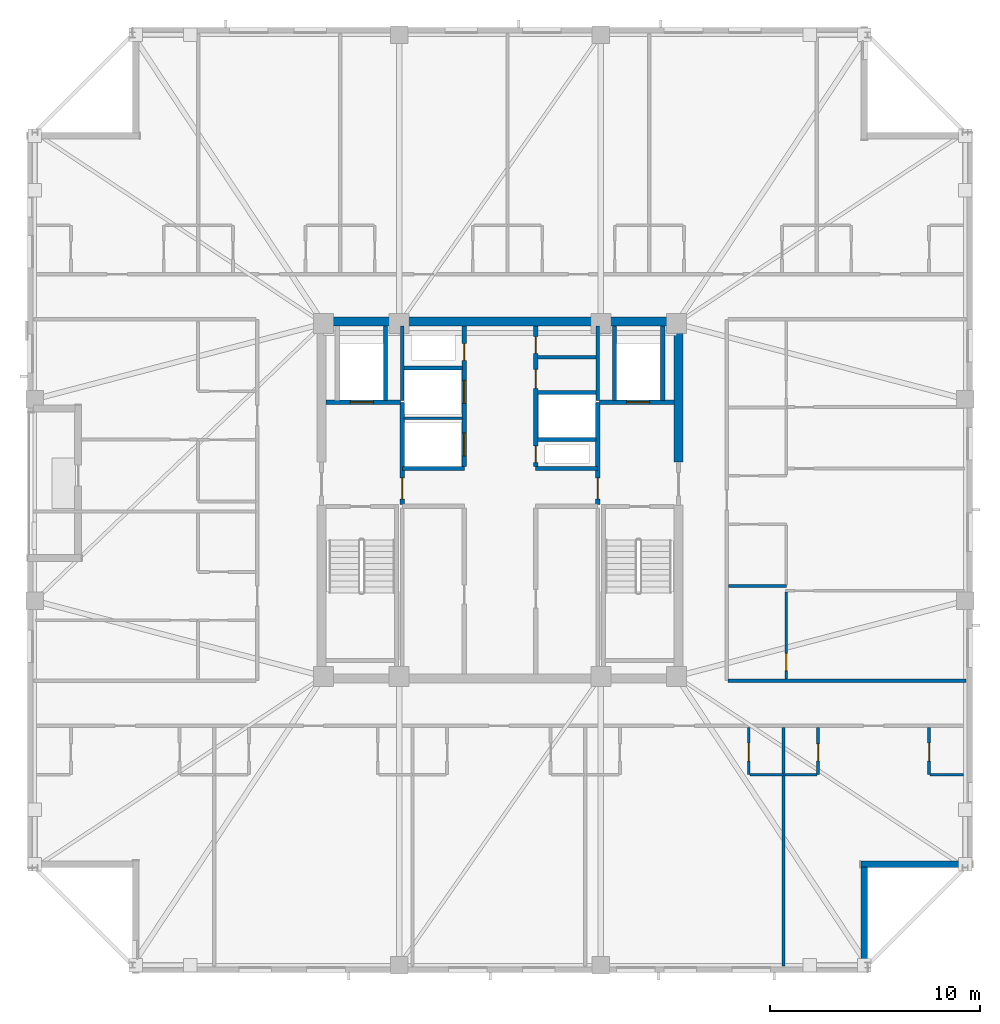
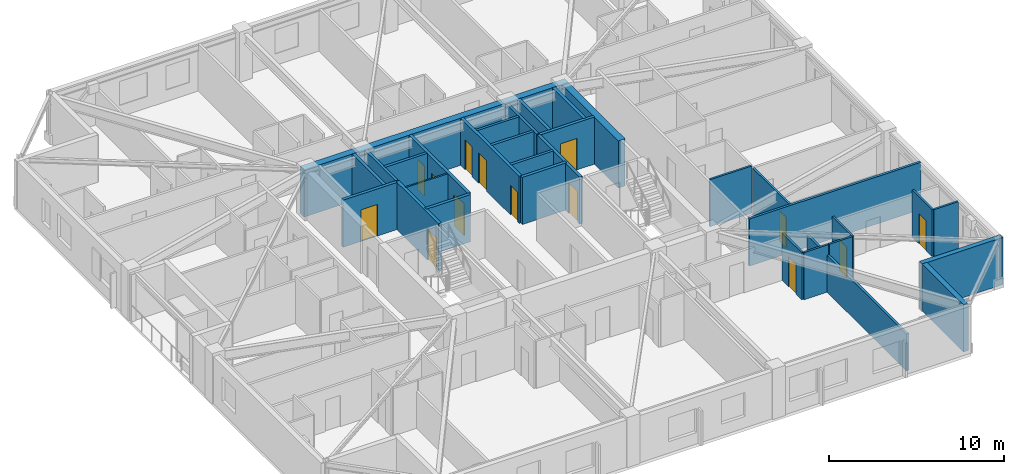
# One storey, part 9 of 17: 32 walls, 14 doors, 14 openings.
"""IFC4 building model written with IfcOpenShell, lengths in metres."""

from ifc_helpers import new_model, si_unit, direction, frame, frame_2d, origin, place, context, subcontext, project, spatial, rectangle, extrude, material, layer, layer_set, type_object, element, fill, save


model = new_model("IFC4")

# Units and contexts
model_context = context("Model", 3, precision=1e-05, world=origin(), true_north=direction((0.0, 1.0)))
body_context = subcontext(model_context, "Body", "Model", "MODEL_VIEW")
ifc_project = project(units=[si_unit("LENGTHUNIT", "METRE"), si_unit("AREAUNIT", "SQUARE_METRE"), si_unit("VOLUMEUNIT", "CUBIC_METRE"), si_unit("PLANEANGLEUNIT", "RADIAN"), si_unit("MASSUNIT", "GRAM", prefix="KILO")], contexts=[model_context])

# Site, building, storey
site_placement = place(None, origin())
site = spatial("IfcSite", under=ifc_project, at=site_placement, CompositionType="ELEMENT")
building_placement = place(site_placement, origin())
building = spatial("IfcBuilding", under=site, at=building_placement, Name="Cairnveth Concourse Tower", CompositionType="ELEMENT")
storey_placement = place(building_placement, frame((0.0, 0.0, 244.5)))
storey = spatial("IfcBuildingStorey", under=building, at=storey_placement, Name="L67", CompositionType="ELEMENT", Elevation=244.5)

# Walls
ifc_material_1 = material(Name="Gypsum Plasterboard Partition", Category="gypsum")
ifc_layer_1 = layer(ifc_material_1, 0.159912109375)
ifc_layer_set_1 = layer_set([ifc_layer_1], Name="Gypsum Plasterboard Partition")
wall_type_1 = type_object("IfcWallType", Name="ACOUSTIC PARTY WALL 180", PredefinedType="PARTITIONING", material=ifc_layer_set_1)
wall_1_placement = place(storey_placement, frame((53.784912109375, 45.800048828125, 0.0), z_axis=(0.0, 0.0, 1.0), x_axis=(1.0, 0.0, 0.0)))
element("IfcWall", 1, at=wall_1_placement, inside=storey, type_object=wall_type_1, Name="Interior Wall IW-L67-033", PredefinedType="PARTITIONING", context=body_context, shape_type="SweptSolid", body=[
    extrude(rectangle(XDim=2.7900390625, YDim=0.159912109375, at=frame_2d((1.39501953125, 0.0))), origin(), (0.0, 0.0, 1.0), 3.2900390625),
])
wall_2_placement = place(storey_placement, frame((62.864990234375, 30.39990234375, 0.0), z_axis=(0.0, 0.0, 1.0), x_axis=(1.0, 0.0, 0.0)))
element("IfcWall", 2, at=wall_2_placement, inside=storey, type_object=wall_type_1, Name="Interior Wall IW-L67-040", PredefinedType="PARTITIONING", context=body_context, shape_type="SweptSolid", body=[
    extrude(rectangle(XDim=11.330078125, YDim=0.159912109375, at=frame_2d((5.6650390625, 0.0))), origin(), (0.0, 0.0, 1.0), 3.2900390625),
])
wall_3_placement = place(storey_placement, frame((65.49560546875, 16.804931640625, 0.0), z_axis=(0.0, 0.0, 1.0), x_axis=(0.0, 1.0, 0.0)))
element("IfcWall", 3, at=wall_3_placement, inside=storey, type_object=wall_type_1, Name="Interior Wall IW-L67-061", PredefinedType="PARTITIONING", context=body_context, shape_type="SweptSolid", body=[
    extrude(rectangle(XDim=11.36767578125, YDim=0.159912109375, at=frame_2d((5.683837890625, 0.0))), origin(), (0.0, 0.0, 1.0), 2.572998046875),
])
ifc_material_2 = material(Name="Concrete N65 (65 MPa)", Category="concrete")
ifc_layer_2 = layer(ifc_material_2, 0.449951171875)
ifc_layer_set_2 = layer_set([ifc_layer_2], Name="Concrete N65 (65 MPa)")
wall_type_2 = type_object("IfcWallType", Name="CORE SHEAR WALL 450", PredefinedType="SHEAR", material=ifc_layer_set_2)
wall_4_placement = place(storey_placement, frame((43.27490234375, 47.5, 0.0), z_axis=(0.0, 0.0, 1.0), x_axis=(1.0, 0.0, 0.0)))
element("IfcWall", 4, at=wall_4_placement, inside=storey, type_object=wall_type_2, Name="Core North Shear Wall L67", PredefinedType="SHEAR", context=body_context, shape_type="SweptSolid", body=[
    extrude(rectangle(XDim=17.4501953125, YDim=0.449951171875, at=frame_2d((8.72509765625, 0.0))), origin(), (0.0, 0.0, 1.0), 3.2900390625),
])
wall_5_placement = place(storey_placement, frame((60.5, 40.800048828125, 0.0), z_axis=(0.0, 0.0, 1.0), x_axis=(0.0, 1.0, 0.0)))
element("IfcWall", 5, at=wall_5_placement, inside=storey, type_object=wall_type_2, Name="Core East Shear Wall N L67", PredefinedType="SHEAR", context=body_context, shape_type="SweptSolid", body=[
    extrude(rectangle(XDim=6.48486328125, YDim=0.449951171875, at=frame_2d((3.242431640625, 0.0))), origin(), (0.0, 0.0, 1.0), 3.2900390625),
])
ifc_material_3 = material(Name="Concrete N50 (50 MPa)", Category="concrete")
ifc_layer_3 = layer(ifc_material_3, 0.179931640625)
ifc_layer_set_3 = layer_set([ifc_layer_3], Name="Concrete N50 (50 MPa)")
wall_type_3 = type_object("IfcWallType", Name="FIRE SHAFT WALL 180", PredefinedType="SOLIDWALL", material=ifc_layer_set_3)
wall_6_placement = place(storey_placement, frame((47.35009765625, 43.735107421875, 0.0), z_axis=(0.0, 0.0, 1.0), x_axis=(0.0, 1.0, 0.0)))
element("IfcWall", 6, at=wall_6_placement, inside=storey, type_object=wall_type_3, Name="Interior Wall IW-L67-027", PredefinedType="SOLIDWALL", context=body_context, shape_type="SweptSolid", body=[
    extrude(rectangle(XDim=3.554931640625, YDim=0.179931640625, at=frame_2d((1.77734375, 0.0))), origin(), (0.0, 0.0, 1.0), 3.2900390625),
])
wall_7_placement = place(storey_placement, frame((47.425048828125, 45.280029296875, 0.0), z_axis=(0.0, 0.0, 1.0), x_axis=(1.0, 0.0, 0.0)))
element("IfcWall", 7, at=wall_7_placement, inside=storey, type_object=wall_type_3, Name="Interior Wall IW-L67-029", PredefinedType="SOLIDWALL", context=body_context, shape_type="SweptSolid", body=[
    extrude(rectangle(XDim=2.7900390625, YDim=0.179931640625, at=frame_2d((1.39501953125, 0.0))), origin(), (0.0, 0.0, 1.0), 3.2900390625),
])
wall_8_placement = place(storey_placement, frame((56.64990234375, 43.735107421875, 0.0), z_axis=(0.0, 0.0, 1.0), x_axis=(0.0, 1.0, 0.0)))
element("IfcWall", 8, at=wall_8_placement, inside=storey, type_object=wall_type_3, Name="Interior Wall IW-L67-030", PredefinedType="SOLIDWALL", context=body_context, shape_type="SweptSolid", body=[
    extrude(rectangle(XDim=3.554931640625, YDim=0.179931640625, at=frame_2d((1.77734375, 0.0))), origin(), (0.0, 0.0, 1.0), 3.2900390625),
])
wall_9_placement = place(storey_placement, frame((53.784912109375, 41.8798828125, 0.0), z_axis=(0.0, 0.0, 1.0), x_axis=(1.0, 0.0, 0.0)))
element("IfcWall", 9, at=wall_9_placement, inside=storey, type_object=wall_type_3, Name="Interior Wall IW-L67-031", PredefinedType="SOLIDWALL", context=body_context, shape_type="SweptSolid", body=[
    extrude(rectangle(XDim=2.780029296875, YDim=0.179931640625, at=frame_2d((1.39013671875, 0.0))), origin(), (0.0, 0.0, 1.0), 3.2900390625),
])
wall_10_placement = place(storey_placement, frame((53.784912109375, 44.1201171875, 0.0), z_axis=(0.0, 0.0, 1.0), x_axis=(1.0, 0.0, 0.0)))
element("IfcWall", 10, at=wall_10_placement, inside=storey, type_object=wall_type_3, Name="Interior Wall IW-L67-032", PredefinedType="SOLIDWALL", context=body_context, shape_type="SweptSolid", body=[
    extrude(rectangle(XDim=2.7900390625, YDim=0.179931640625, at=frame_2d((1.39501953125, 0.0))), origin(), (0.0, 0.0, 1.0), 3.2900390625),
])
ifc_layer_4 = layer(ifc_material_3, 0.199951171875)
ifc_layer_set_4 = layer_set([ifc_layer_4], Name="Concrete N50 (50 MPa)")
wall_type_4 = type_object("IfcWallType", Name="FIRE SHAFT WALL 200", PredefinedType="SOLIDWALL", material=ifc_layer_set_4)
for number, where, z_axis, x_axis, name in (
    (11, (47.35009765625, 40.5, 0.0), (0.0, 0.0, 1.0), (1.0, 0.0, 0.0), "Interior Wall IW-L67-008"),
    (12, (53.699951171875, 40.5, 0.0), (0.0, 0.0, 1.0), (1.0, 0.0, 0.0), "Interior Wall IW-L67-010"),
):
    element("IfcWall", number, at=place(storey_placement, frame(where, z_axis=z_axis, x_axis=x_axis)), inside=storey, type_object=wall_type_4, Name=name, PredefinedType="SOLIDWALL", context=body_context, shape_type="SweptSolid", body=[
        extrude(rectangle(XDim=2.949951171875, YDim=0.199951171875, at=frame_2d((1.47509765625, 0.0))), origin(), (0.0, 0.0, 1.0), 3.2900390625),
    ])

# Wall, openings, doors
wall_11_placement = place(storey_placement, frame((50.300048828125, 40.5849609375, 0.0), z_axis=(0.0, 0.0, 1.0), x_axis=(0.0, 1.0, 0.0)))
wall_11 = element("IfcWall", 13, at=wall_11_placement, inside=storey, type_object=wall_type_4, Name="Interior Wall IW-L67-013", PredefinedType="SOLIDWALL", context=body_context, shape_type="SweptSolid", body=[
    extrude(rectangle(XDim=6.705078125, YDim=0.199951171875, at=frame_2d((3.3525390625, 0.0))), origin(), (0.0, 0.0, 1.0), 3.2900390625),
])
opening_1_placement = place(wall_11_placement, frame((0.514892578125, 0.0, 0.0)))
opening_1 = element("IfcOpeningElement", 14, at=opening_1_placement, cuts=wall_11, Name="Opening LD-1", PredefinedType="OPENING", context=body_context, shape_type="SweptSolid", body=[
    extrude(rectangle(XDim=1.10009765625, YDim=2.199951171875, at=frame_2d((0.550048828125, 1.10009765625))), frame((0.0, 0.10986328125, 0.0), z_axis=(0.0, -1.0, 0.0), x_axis=(1.0, 0.0, 0.0)), (0.0, 0.0, 1.0), 0.219970703125),
])
opening_2_placement = place(wall_11_placement, frame((3.014892578125, 0.0, 0.0)))
opening_2 = element("IfcOpeningElement", 15, at=opening_2_placement, cuts=wall_11, Name="Opening LD-1", PredefinedType="OPENING", context=body_context, shape_type="SweptSolid", body=[
    extrude(rectangle(XDim=1.10009765625, YDim=2.199951171875, at=frame_2d((0.550048828125, 1.10009765625))), frame((0.0, 0.10986328125, 0.0), z_axis=(0.0, -1.0, 0.0), x_axis=(1.0, 0.0, 0.0)), (0.0, 0.0, 1.0), 0.219970703125),
])
opening_3_placement = place(wall_11_placement, frame((5.06494140625, 0.0, 0.0)))
opening_3 = element("IfcOpeningElement", 16, at=opening_3_placement, cuts=wall_11, Name="Opening ID24", PredefinedType="OPENING", context=body_context, shape_type="SweptSolid", body=[
    extrude(rectangle(XDim=0.800048828125, YDim=2.080078125, at=frame_2d((0.39990234375, 1.0400390625))), frame((0.0, 0.10986328125, 0.0), z_axis=(0.0, -1.0, 0.0), x_axis=(1.0, 0.0, 0.0)), (0.0, 0.0, 1.0), 0.219970703125),
])
ifc_material_4 = material(Name="Architectural Bronze Anodised Aluminium 6063-T6", Category="aluminium")
door_type_1 = type_object("IfcDoorType", Name="LIFT LANDING DOOR 1100X2200", OperationType="SLIDING_TO_LEFT", PredefinedType="DOOR", material=ifc_material_4)
door_1_placement = place(opening_1_placement, origin())
door_1 = element("IfcDoor", 17, at=door_1_placement, inside=storey, type_object=door_type_1, Name="Lift PL7 Landing Door L67", OperationType="SLIDING_TO_LEFT", OverallHeight=2.199951171875, OverallWidth=1.10009765625, PredefinedType="DOOR", context=body_context, shape_type="SweptSolid", body=[
    extrude(rectangle(XDim=1.10009765625, YDim=2.199951171875, at=frame_2d((0.550048828125, 1.10009765625))), frame((0.0, 0.02490234375, 0.0), z_axis=(0.0, -1.0, 0.0), x_axis=(1.0, 0.0, 0.0)), (0.0, 0.0, 1.0), 0.050048828125),
])
fill(opening_1, door_1)
door_2_placement = place(opening_2_placement, origin())
door_2 = element("IfcDoor", 18, at=door_2_placement, inside=storey, type_object=door_type_1, Name="Lift PL8 Landing Door L67", OperationType="SLIDING_TO_LEFT", OverallHeight=2.199951171875, OverallWidth=1.10009765625, PredefinedType="DOOR", context=body_context, shape_type="SweptSolid", body=[
    extrude(rectangle(XDim=1.10009765625, YDim=2.199951171875, at=frame_2d((0.550048828125, 1.10009765625))), frame((0.0, 0.02490234375, 0.0), z_axis=(0.0, -1.0, 0.0), x_axis=(1.0, 0.0, 0.0)), (0.0, 0.0, 1.0), 0.050048828125),
])
fill(opening_2, door_2)
ifc_material_5 = material(Name="Steel Grade 350", Category="steel")
door_type_2 = type_object("IfcDoorType", Name="RISER ACCESS DOOR 800X2100", OperationType="NOTDEFINED", PredefinedType="DOOR", material=ifc_material_5)
door_3_placement = place(opening_3_placement, origin())
door_3 = element("IfcDoor", 19, at=door_3_placement, inside=storey, type_object=door_type_2, Name="NW Electrical Riser Access Door L67", OperationType="SINGLE_SWING_LEFT", OverallHeight=2.080078125, OverallWidth=0.800048828125, PredefinedType="DOOR", context=body_context, shape_type="SweptSolid", body=[
    extrude(rectangle(XDim=0.800048828125, YDim=2.080078125, at=frame_2d((0.39990234375, 1.0400390625))), frame((0.0, 0.02490234375, 0.0), z_axis=(0.0, -1.0, 0.0), x_axis=(1.0, 0.0, 0.0)), (0.0, 0.0, 1.0), 0.050048828125),
])
fill(opening_3, door_3)

wall_12_placement = place(storey_placement, frame((53.699951171875, 40.5849609375, 0.0), z_axis=(0.0, 0.0, 1.0), x_axis=(0.0, 1.0, 0.0)))
wall_12 = element("IfcWall", 20, at=wall_12_placement, inside=storey, type_object=wall_type_4, Name="Interior Wall IW-L67-014", PredefinedType="SOLIDWALL", context=body_context, shape_type="SweptSolid", body=[
    extrude(rectangle(XDim=6.705078125, YDim=0.199951171875, at=frame_2d((3.3525390625, 0.0))), origin(), (0.0, 0.0, 1.0), 3.2900390625),
])
opening_4_placement = place(wall_12_placement, frame((0.195068359375, 0.0, 0.0)))
opening_4 = element("IfcOpeningElement", 21, at=opening_4_placement, cuts=wall_12, Name="Opening ID24", PredefinedType="OPENING", context=body_context, shape_type="SweptSolid", body=[
    extrude(rectangle(XDim=0.800048828125, YDim=2.080078125, at=frame_2d((0.39990234375, 1.0400390625))), frame((0.0, 0.10986328125, 0.0), z_axis=(0.0, -1.0, 0.0), x_axis=(1.0, 0.0, 0.0)), (0.0, 0.0, 1.0), 0.219970703125),
])
opening_5_placement = place(wall_12_placement, frame((3.735107421875, 0.0, 0.0)))
opening_5 = element("IfcOpeningElement", 22, at=opening_5_placement, cuts=wall_12, Name="Opening ID26", PredefinedType="OPENING", context=body_context, shape_type="SweptSolid", body=[
    extrude(rectangle(XDim=0.89990234375, YDim=2.1201171875, at=frame_2d((0.449951171875, 1.06005859375))), frame((0.0, 0.10986328125, 0.0), z_axis=(0.0, -1.0, 0.0), x_axis=(1.0, 0.0, 0.0)), (0.0, 0.0, 1.0), 0.219970703125),
])
opening_6_placement = place(wall_12_placement, frame((5.39501953125, 0.0, 0.0)))
opening_6 = element("IfcOpeningElement", 23, at=opening_6_placement, cuts=wall_12, Name="Opening ID23", PredefinedType="OPENING", context=body_context, shape_type="SweptSolid", body=[
    extrude(rectangle(XDim=0.800048828125, YDim=2.10009765625, at=frame_2d((0.39990234375, 1.050048828125))), frame((0.0, 0.10986328125, 0.0), z_axis=(0.0, -1.0, 0.0), x_axis=(1.0, 0.0, 0.0)), (0.0, 0.0, 1.0), 0.219970703125),
])
door_type_3 = type_object("IfcDoorType", Name="CORE SERVICE DOOR 800X2100", OperationType="NOTDEFINED", PredefinedType="DOOR", material=ifc_material_5)
door_4_placement = place(opening_6_placement, origin())
door_4 = element("IfcDoor", 24, at=door_4_placement, inside=storey, type_object=door_type_3, Name="Core NE Cleaners Door L67", OperationType="SINGLE_SWING_RIGHT", OverallHeight=2.10009765625, OverallWidth=0.800048828125, PredefinedType="DOOR", context=body_context, shape_type="SweptSolid", body=[
    extrude(rectangle(XDim=0.800048828125, YDim=2.10009765625, at=frame_2d((0.39990234375, 1.050048828125))), frame((0.0, 0.02490234375, 0.0), z_axis=(0.0, -1.0, 0.0), x_axis=(1.0, 0.0, 0.0)), (0.0, 0.0, 1.0), 0.050048828125),
])
fill(opening_6, door_4)
door_type_4 = type_object("IfcDoorType", Name="CORE TOILET FIRE DOOR 900X2120", OperationType="NOTDEFINED", PredefinedType="DOOR", material=ifc_material_5)
door_5_placement = place(opening_5_placement, origin())
door_5 = element("IfcDoor", 25, at=door_5_placement, inside=storey, type_object=door_type_4, Name="Core NE Unisex WC Door L67", OperationType="SINGLE_SWING_LEFT", OverallHeight=2.1201171875, OverallWidth=0.89990234375, PredefinedType="DOOR", context=body_context, shape_type="SweptSolid", body=[
    extrude(rectangle(XDim=0.89990234375, YDim=2.1201171875, at=frame_2d((0.449951171875, 1.06005859375))), frame((0.0, 0.02490234375, 0.0), z_axis=(0.0, -1.0, 0.0), x_axis=(1.0, 0.0, 0.0)), (0.0, 0.0, 1.0), 0.050048828125),
])
fill(opening_5, door_5)
door_6_placement = place(opening_4_placement, origin())
door_6 = element("IfcDoor", 26, at=door_6_placement, inside=storey, type_object=door_type_2, Name="Hydraulic Riser Door L67", OperationType="SINGLE_SWING_RIGHT", OverallHeight=2.080078125, OverallWidth=0.800048828125, PredefinedType="DOOR", context=body_context, shape_type="SweptSolid", body=[
    extrude(rectangle(XDim=0.800048828125, YDim=2.080078125, at=frame_2d((0.39990234375, 1.0400390625))), frame((0.0, 0.02490234375, 0.0), z_axis=(0.0, -1.0, 0.0), x_axis=(1.0, 0.0, 0.0)), (0.0, 0.0, 1.0), 0.050048828125),
])
fill(opening_4, door_6)

# Wall, opening, door
wall_13_placement = place(storey_placement, frame((47.35009765625, 38.784912109375, 0.0), z_axis=(0.0, 0.0, 1.0), x_axis=(0.0, 1.0, 0.0)))
wall_13 = element("IfcWall", 27, at=wall_13_placement, inside=storey, type_object=wall_type_4, Name="Interior Wall IW-L67-016", PredefinedType="SOLIDWALL", context=body_context, shape_type="SweptSolid", body=[
    extrude(rectangle(XDim=4.864990234375, YDim=0.199951171875, at=frame_2d((2.4326171875, 0.0))), origin(), (0.0, 0.0, 1.0), 3.2900390625),
])
opening_7_placement = place(wall_13_placement, frame((0.264892578125, 0.0, 0.0)))
opening_7 = element("IfcOpeningElement", 28, at=opening_7_placement, cuts=wall_13, Name="Opening ID07", PredefinedType="OPENING", context=body_context, shape_type="SweptSolid", body=[
    extrude(rectangle(XDim=1.0, YDim=2.14990234375, at=frame_2d((0.5, 1.074951171875))), frame((0.0, 0.10986328125, 0.0), z_axis=(0.0, -1.0, 0.0), x_axis=(1.0, 0.0, 0.0)), (0.0, 0.0, 1.0), 0.219970703125),
])
door_type_5 = type_object("IfcDoorType", Name="FIRE CORRIDOR DOOR 1000X2150", OperationType="NOTDEFINED", PredefinedType="DOOR", material=ifc_material_5)
door_7_placement = place(opening_7_placement, origin())
door_7 = element("IfcDoor", 29, at=door_7_placement, inside=storey, type_object=door_type_5, Name="FF Lobby West to Lift Lobby Door L67", OperationType="SINGLE_SWING_RIGHT", OverallHeight=2.14990234375, OverallWidth=1.0, PredefinedType="DOOR", context=body_context, shape_type="SweptSolid", body=[
    extrude(rectangle(XDim=1.0, YDim=2.14990234375, at=frame_2d((0.5, 1.074951171875))), frame((0.0, 0.02490234375, 0.0), z_axis=(0.0, -1.0, 0.0), x_axis=(1.0, 0.0, 0.0)), (0.0, 0.0, 1.0), 0.050048828125),
])
fill(opening_7, door_7)

wall_14_placement = place(storey_placement, frame((43.7099609375, 43.64990234375, 0.0), z_axis=(0.0, 0.0, 1.0), x_axis=(1.0, 0.0, 0.0)))
wall_14 = element("IfcWall", 30, at=wall_14_placement, inside=storey, type_object=wall_type_4, Name="Interior Wall IW-L67-017", PredefinedType="SOLIDWALL", context=body_context, shape_type="SweptSolid", body=[
    extrude(rectangle(XDim=3.554931640625, YDim=0.199951171875, at=frame_2d((1.77734375, 0.0))), origin(), (0.0, 0.0, 1.0), 3.2900390625),
])
opening_8_placement = place(wall_14_placement, frame((1.159912109375, 0.0, 0.0)))
opening_8 = element("IfcOpeningElement", 31, at=opening_8_placement, cuts=wall_14, Name="Opening LD-1", PredefinedType="OPENING", context=body_context, shape_type="SweptSolid", body=[
    extrude(rectangle(XDim=1.10009765625, YDim=2.199951171875, at=frame_2d((0.550048828125, 1.10009765625))), frame((0.0, 0.10986328125, 0.0), z_axis=(0.0, -1.0, 0.0), x_axis=(1.0, 0.0, 0.0)), (0.0, 0.0, 1.0), 0.219970703125),
])
door_8_placement = place(opening_8_placement, origin())
door_8 = element("IfcDoor", 32, at=door_8_placement, inside=storey, type_object=door_type_1, Name="Lift FFL1 Landing Door L67", OperationType="SLIDING_TO_LEFT", OverallHeight=2.199951171875, OverallWidth=1.10009765625, PredefinedType="DOOR", context=body_context, shape_type="SweptSolid", body=[
    extrude(rectangle(XDim=1.10009765625, YDim=2.199951171875, at=frame_2d((0.550048828125, 1.10009765625))), frame((0.0, 0.02490234375, 0.0), z_axis=(0.0, -1.0, 0.0), x_axis=(1.0, 0.0, 0.0)), (0.0, 0.0, 1.0), 0.050048828125),
])
fill(opening_8, door_8)

# Wall
wall_15_placement = place(storey_placement, frame((46.550048828125, 43.735107421875, 0.0), z_axis=(0.0, 0.0, 1.0), x_axis=(0.0, 1.0, 0.0)))
element("IfcWall", 33, at=wall_15_placement, inside=storey, type_object=wall_type_4, Name="Interior Wall IW-L67-018", PredefinedType="SOLIDWALL", context=body_context, shape_type="SweptSolid", body=[
    extrude(rectangle(XDim=3.554931640625, YDim=0.199951171875, at=frame_2d((1.77734375, 0.0))), origin(), (0.0, 0.0, 1.0), 3.2900390625),
])

# Wall, opening, door
wall_16_placement = place(storey_placement, frame((56.64990234375, 38.784912109375, 0.0), z_axis=(0.0, 0.0, 1.0), x_axis=(0.0, 1.0, 0.0)))
wall_16 = element("IfcWall", 34, at=wall_16_placement, inside=storey, type_object=wall_type_4, Name="Interior Wall IW-L67-021", PredefinedType="SOLIDWALL", context=body_context, shape_type="SweptSolid", body=[
    extrude(rectangle(XDim=4.864990234375, YDim=0.199951171875, at=frame_2d((2.4326171875, 0.0))), origin(), (0.0, 0.0, 1.0), 3.2900390625),
])
opening_9_placement = place(wall_16_placement, frame((0.264892578125, 0.0, 0.0)))
opening_9 = element("IfcOpeningElement", 35, at=opening_9_placement, cuts=wall_16, Name="Opening ID07", PredefinedType="OPENING", context=body_context, shape_type="SweptSolid", body=[
    extrude(rectangle(XDim=1.0, YDim=2.14990234375, at=frame_2d((0.5, 1.074951171875))), frame((0.0, 0.10986328125, 0.0), z_axis=(0.0, -1.0, 0.0), x_axis=(1.0, 0.0, 0.0)), (0.0, 0.0, 1.0), 0.219970703125),
])
door_9_placement = place(opening_9_placement, origin())
door_9 = element("IfcDoor", 36, at=door_9_placement, inside=storey, type_object=door_type_5, Name="FF Lobby East to Lift Lobby Door L67", OperationType="SINGLE_SWING_LEFT", OverallHeight=2.14990234375, OverallWidth=1.0, PredefinedType="DOOR", context=body_context, shape_type="SweptSolid", body=[
    extrude(rectangle(XDim=1.0, YDim=2.14990234375, at=frame_2d((0.5, 1.074951171875))), frame((0.0, 0.02490234375, 0.0), z_axis=(0.0, -1.0, 0.0), x_axis=(1.0, 0.0, 0.0)), (0.0, 0.0, 1.0), 0.050048828125),
])
fill(opening_9, door_9)

wall_17_placement = place(storey_placement, frame((56.735107421875, 43.64990234375, 0.0), z_axis=(0.0, 0.0, 1.0), x_axis=(1.0, 0.0, 0.0)))
wall_17 = element("IfcWall", 37, at=wall_17_placement, inside=storey, type_object=wall_type_4, Name="Interior Wall IW-L67-022", PredefinedType="SOLIDWALL", context=body_context, shape_type="SweptSolid", body=[
    extrude(rectangle(XDim=3.554931640625, YDim=0.199951171875, at=frame_2d((1.77734375, 0.0))), origin(), (0.0, 0.0, 1.0), 3.2900390625),
])
opening_10_placement = place(wall_17_placement, frame((1.294921875, 0.0, 0.0)))
opening_10 = element("IfcOpeningElement", 38, at=opening_10_placement, cuts=wall_17, Name="Opening LD-1", PredefinedType="OPENING", context=body_context, shape_type="SweptSolid", body=[
    extrude(rectangle(XDim=1.10009765625, YDim=2.199951171875, at=frame_2d((0.550048828125, 1.10009765625))), frame((0.0, 0.10986328125, 0.0), z_axis=(0.0, -1.0, 0.0), x_axis=(1.0, 0.0, 0.0)), (0.0, 0.0, 1.0), 0.219970703125),
])
door_10_placement = place(opening_10_placement, origin())
door_10 = element("IfcDoor", 39, at=door_10_placement, inside=storey, type_object=door_type_1, Name="Lift FFL2 Landing Door L67", OperationType="SLIDING_TO_LEFT", OverallHeight=2.199951171875, OverallWidth=1.10009765625, PredefinedType="DOOR", context=body_context, shape_type="SweptSolid", body=[
    extrude(rectangle(XDim=1.10009765625, YDim=2.199951171875, at=frame_2d((0.550048828125, 1.10009765625))), frame((0.0, 0.02490234375, 0.0), z_axis=(0.0, -1.0, 0.0), x_axis=(1.0, 0.0, 0.0)), (0.0, 0.0, 1.0), 0.050048828125),
])
fill(opening_10, door_10)

# Walls
for number, where, z_axis, x_axis, name in (
    (40, (57.449951171875, 43.735107421875, 0.0), (0.0, 0.0, 1.0), (0.0, 1.0, 0.0), "Interior Wall IW-L67-023"),
    (41, (59.75, 43.735107421875, 0.0), (0.0, 0.0, 1.0), (0.0, 1.0, 0.0), "Interior Wall IW-L67-024"),
):
    element("IfcWall", number, at=place(storey_placement, frame(where, z_axis=z_axis, x_axis=x_axis)), inside=storey, type_object=wall_type_4, Name=name, PredefinedType="SOLIDWALL", context=body_context, shape_type="SweptSolid", body=[
        extrude(rectangle(XDim=3.554931640625, YDim=0.199951171875, at=frame_2d((1.77734375, 0.0))), origin(), (0.0, 0.0, 1.0), 3.2900390625),
    ])

# Wall, opening, door
ifc_layer_5 = layer(ifc_material_1, 0.139892578125)
ifc_layer_set_5 = layer_set([ifc_layer_5], Name="Gypsum Plasterboard Partition")
wall_type_5 = type_object("IfcWallType", Name="GYPSUM STUD PARTITION 140", PredefinedType="PARTITIONING", material=ifc_layer_set_5)
wall_18_placement = place(storey_placement, frame((65.6298828125, 30.465087890625, 0.0), z_axis=(0.0, 0.0, 1.0), x_axis=(0.0, 1.0, 0.0)))
wall_18 = element("IfcWall", 42, at=wall_18_placement, inside=storey, type_object=wall_type_5, Name="Interior Wall IW-L67-114", PredefinedType="PARTITIONING", context=body_context, shape_type="SweptSolid", body=[
    extrude(rectangle(XDim=4.159912109375, YDim=0.139892578125, at=frame_2d((2.080078125, 0.0))), origin(), (0.0, 0.0, 1.0), 3.2900390625),
])
opening_11_placement = place(wall_18_placement, frame((0.4150390625, 0.0, 0.0)))
opening_11 = element("IfcOpeningElement", 43, at=opening_11_placement, cuts=wall_18, Name="Opening ID22", PredefinedType="OPENING", context=body_context, shape_type="SweptSolid", body=[
    extrude(rectangle(XDim=0.820068359375, YDim=2.10009765625, at=frame_2d((0.41015625, 1.050048828125))), frame((0.0, 0.079833984375, 0.0), z_axis=(0.0, -1.0, 0.0), x_axis=(1.0, 0.0, 0.0)), (0.0, 0.0, 1.0), 0.159912109375),
])
ifc_material_6 = material(Name="Solid Core Hardwood Timber Leaf", Category="wood")
door_type_6 = type_object("IfcDoorType", Name="INTERIOR WC DOOR 820X2100", OperationType="NOTDEFINED", PredefinedType="DOOR", material=ifc_material_6)
door_11_placement = place(opening_11_placement, origin())
door_11 = element("IfcDoor", 44, at=door_11_placement, inside=storey, type_object=door_type_6, Name="L67E1 Dressing Door", OperationType="SINGLE_SWING_RIGHT", OverallHeight=2.10009765625, OverallWidth=0.820068359375, PredefinedType="DOOR", context=body_context, shape_type="SweptSolid", body=[
    extrude(rectangle(XDim=0.820068359375, YDim=2.10009765625, at=frame_2d((0.41015625, 1.050048828125))), frame((0.0, 0.02490234375, 0.0), z_axis=(0.0, -1.0, 0.0), x_axis=(1.0, 0.0, 0.0)), (0.0, 0.0, 1.0), 0.050048828125),
])
fill(opening_11, door_11)

# Wall
ifc_layer_6 = layer(ifc_material_1, 0.110107421875)
ifc_layer_set_6 = layer_set([ifc_layer_6], Name="Gypsum Plasterboard Partition")
wall_type_6 = type_object("IfcWallType", Name="SHAFT DIVIDER WALL 140", PredefinedType="PARTITIONING", material=ifc_layer_set_6)
wall_19_placement = place(storey_placement, frame((47.43505859375, 42.89990234375, 0.0), z_axis=(0.0, 0.0, 1.0), x_axis=(1.0, 0.0, 0.0)))
element("IfcWall", 45, at=wall_19_placement, inside=storey, type_object=wall_type_6, Name="Interior Wall IW-L67-028", PredefinedType="PARTITIONING", context=body_context, shape_type="SweptSolid", body=[
    extrude(rectangle(XDim=2.780029296875, YDim=0.110107421875, at=frame_2d((1.39013671875, 0.0))), origin(), (0.0, 0.0, 1.0), 3.2900390625),
])

# Wall, opening, door
ifc_layer_7 = layer(ifc_material_1, 0.1298828125)
ifc_layer_set_7 = layer_set([ifc_layer_7], Name="Gypsum Plasterboard Partition")
wall_type_7 = type_object("IfcWallType", Name="WET AREA PARTITION 140", PredefinedType="PLUMBINGWALL", material=ifc_layer_set_7)
wall_20_placement = place(storey_placement, frame((63.845458984375, 25.922607421875, 0.0), z_axis=(0.0, 0.0, 1.0), x_axis=(0.0, 1.0, 0.0)))
wall_20 = element("IfcWall", 46, at=wall_20_placement, inside=storey, type_object=wall_type_7, Name="Interior Wall IW-L67-059", PredefinedType="PLUMBINGWALL", context=body_context, shape_type="SweptSolid", body=[
    extrude(rectangle(XDim=2.25, YDim=0.1298828125, at=frame_2d((1.125, 0.0))), origin(), (0.0, 0.0, 1.0), 3.2900390625),
])
opening_12_placement = place(wall_20_placement, frame((0.64990234375, 0.0, 0.0)))
opening_12 = element("IfcOpeningElement", 47, at=opening_12_placement, cuts=wall_20, Name="Opening ID20", PredefinedType="OPENING", context=body_context, shape_type="SweptSolid", body=[
    extrude(rectangle(XDim=0.85009765625, YDim=2.10009765625, at=frame_2d((0.425048828125, 1.050048828125))), frame((0.0, 0.074951171875, 0.0), z_axis=(0.0, -1.0, 0.0), x_axis=(1.0, 0.0, 0.0)), (0.0, 0.0, 1.0), 0.14990234375),
])
door_type_7 = type_object("IfcDoorType", Name="INTERIOR SINGLE DOOR 850X2100", OperationType="NOTDEFINED", PredefinedType="DOOR", material=ifc_material_6)
door_12_placement = place(opening_12_placement, origin())
door_12 = element("IfcDoor", 48, at=door_12_placement, inside=storey, type_object=door_type_7, Name="L67STS4 Kitchen Door", OperationType="SINGLE_SWING_LEFT", OverallHeight=2.10009765625, OverallWidth=0.85009765625, PredefinedType="DOOR", context=body_context, shape_type="SweptSolid", body=[
    extrude(rectangle(XDim=0.85009765625, YDim=2.10009765625, at=frame_2d((0.425048828125, 1.050048828125))), frame((0.0, 0.02490234375, 0.0), z_axis=(0.0, -1.0, 0.0), x_axis=(1.0, 0.0, 0.0)), (0.0, 0.0, 1.0), 0.050048828125),
])
fill(opening_12, door_12)

# Wall
wall_21_placement = place(storey_placement, frame((63.8955078125, 25.922607421875, 0.0), z_axis=(0.0, 0.0, 1.0), x_axis=(1.0, 0.0, 0.0)))
element("IfcWall", 49, at=wall_21_placement, inside=storey, type_object=wall_type_7, Name="Interior Wall IW-L67-060", PredefinedType="PLUMBINGWALL", context=body_context, shape_type="SweptSolid", body=[
    extrude(rectangle(XDim=1.60009765625, YDim=0.1298828125, at=frame_2d((0.800048828125, 0.0))), origin(), (0.0, 0.0, 1.0), 3.2900390625),
])

# Wall, opening, door
wall_22_placement = place(storey_placement, frame((67.1455078125, 25.922607421875, 0.0), z_axis=(0.0, 0.0, 1.0), x_axis=(0.0, 1.0, 0.0)))
wall_22 = element("IfcWall", 50, at=wall_22_placement, inside=storey, type_object=wall_type_7, Name="Interior Wall IW-L67-062", PredefinedType="PLUMBINGWALL", context=body_context, shape_type="SweptSolid", body=[
    extrude(rectangle(XDim=2.25, YDim=0.1298828125, at=frame_2d((1.125, 0.0))), origin(), (0.0, 0.0, 1.0), 3.2900390625),
])
opening_13_placement = place(wall_22_placement, frame((0.64990234375, 0.0, 0.0)))
opening_13 = element("IfcOpeningElement", 51, at=opening_13_placement, cuts=wall_22, Name="Opening ID22", PredefinedType="OPENING", context=body_context, shape_type="SweptSolid", body=[
    extrude(rectangle(XDim=0.820068359375, YDim=2.10009765625, at=frame_2d((0.41015625, 1.050048828125))), frame((0.0, 0.074951171875, 0.0), z_axis=(0.0, -1.0, 0.0), x_axis=(1.0, 0.0, 0.0)), (0.0, 0.0, 1.0), 0.14990234375),
])
door_13_placement = place(opening_13_placement, origin())
door_13 = element("IfcDoor", 52, at=door_13_placement, inside=storey, type_object=door_type_6, Name="L67STS5 Bathroom Door", OperationType="SINGLE_SWING_LEFT", OverallHeight=2.10009765625, OverallWidth=0.820068359375, PredefinedType="DOOR", context=body_context, shape_type="SweptSolid", body=[
    extrude(rectangle(XDim=0.820068359375, YDim=2.10009765625, at=frame_2d((0.41015625, 1.050048828125))), frame((0.0, 0.02490234375, 0.0), z_axis=(0.0, -1.0, 0.0), x_axis=(1.0, 0.0, 0.0)), (0.0, 0.0, 1.0), 0.050048828125),
])
fill(opening_13, door_13)

# Wall
wall_23_placement = place(storey_placement, frame((65.560546875, 25.922607421875, 0.0), z_axis=(0.0, 0.0, 1.0), x_axis=(1.0, 0.0, 0.0)))
element("IfcWall", 53, at=wall_23_placement, inside=storey, type_object=wall_type_7, Name="Interior Wall IW-L67-063", PredefinedType="PLUMBINGWALL", context=body_context, shape_type="SweptSolid", body=[
    extrude(rectangle(XDim=1.534912109375, YDim=0.1298828125, at=frame_2d((0.767578125, 0.0))), origin(), (0.0, 0.0, 1.0), 3.2900390625),
])

# Wall, opening, door
wall_24_placement = place(storey_placement, frame((72.429931640625, 25.922607421875, 0.0), z_axis=(0.0, 0.0, 1.0), x_axis=(0.0, 1.0, 0.0)))
wall_24 = element("IfcWall", 54, at=wall_24_placement, inside=storey, type_object=wall_type_7, Name="Interior Wall IW-L67-064", PredefinedType="PLUMBINGWALL", context=body_context, shape_type="SweptSolid", body=[
    extrude(rectangle(XDim=2.25, YDim=0.1298828125, at=frame_2d((1.125, 0.0))), origin(), (0.0, 0.0, 1.0), 3.2900390625),
])
opening_14_placement = place(wall_24_placement, frame((0.64990234375, 0.0, 0.0)))
opening_14 = element("IfcOpeningElement", 55, at=opening_14_placement, cuts=wall_24, Name="Opening ID20", PredefinedType="OPENING", context=body_context, shape_type="SweptSolid", body=[
    extrude(rectangle(XDim=0.85009765625, YDim=2.10009765625, at=frame_2d((0.425048828125, 1.050048828125))), frame((0.0, 0.074951171875, 0.0), z_axis=(0.0, -1.0, 0.0), x_axis=(1.0, 0.0, 0.0)), (0.0, 0.0, 1.0), 0.14990234375),
])
door_14_placement = place(opening_14_placement, origin())
door_14 = element("IfcDoor", 56, at=door_14_placement, inside=storey, type_object=door_type_7, Name="L67STS5 Kitchen Door", OperationType="SINGLE_SWING_RIGHT", OverallHeight=2.10009765625, OverallWidth=0.85009765625, PredefinedType="DOOR", context=body_context, shape_type="SweptSolid", body=[
    extrude(rectangle(XDim=0.85009765625, YDim=2.10009765625, at=frame_2d((0.425048828125, 1.050048828125))), frame((0.0, 0.02490234375, 0.0), z_axis=(0.0, -1.0, 0.0), x_axis=(1.0, 0.0, 0.0)), (0.0, 0.0, 1.0), 0.050048828125),
])
fill(opening_14, door_14)

# Walls
wall_25_placement = place(storey_placement, frame((72.47998046875, 25.922607421875, 0.0), z_axis=(0.0, 0.0, 1.0), x_axis=(1.0, 0.0, 0.0)))
element("IfcWall", 57, at=wall_25_placement, inside=storey, type_object=wall_type_7, Name="Interior Wall IW-L67-065", PredefinedType="PLUMBINGWALL", context=body_context, shape_type="SweptSolid", body=[
    extrude(rectangle(XDim=1.60009765625, YDim=0.1298828125, at=frame_2d((0.800048828125, 0.0))), origin(), (0.0, 0.0, 1.0), 3.2900390625),
])
wall_26_placement = place(storey_placement, frame((62.8798828125, 34.89990234375, 0.0), z_axis=(0.0, 0.0, 1.0), x_axis=(1.0, 0.0, 0.0)))
element("IfcWall", 58, at=wall_26_placement, inside=storey, type_object=wall_type_7, Name="Interior Wall IW-L67-107", PredefinedType="PLUMBINGWALL", context=body_context, shape_type="SweptSolid", body=[
    extrude(rectangle(XDim=2.75, YDim=0.1298828125, at=frame_2d((1.375, 0.0))), origin(), (0.0, 0.0, 1.0), 3.2900390625),
])
ifc_material_7 = material(Name="Melbourne Buff Fired Clay Brick Masonry", Category="masonry")
ifc_layer_8 = layer(ifc_material_7, 0.320068359375)
ifc_layer_set_8 = layer_set([ifc_layer_8], Name="Melbourne Buff Fired Clay Brick Masonry")
wall_type_8 = type_object("IfcWallType", Name="ZONE 3 BRICK PIER SPANDREL WALL 320", PredefinedType="SOLIDWALL", material=ifc_layer_set_8)
wall_27_placement = place(storey_placement, frame((74.5, 21.659912109375, 0.0), z_axis=(0.0, 0.0, 1.0), x_axis=(-1.0, 0.0, 0.0)))
element("IfcWall", 59, at=wall_27_placement, inside=storey, type_object=wall_type_8, Name="Exterior Wall EW-L67-S07", PredefinedType="SOLIDWALL", context=body_context, shape_type="SweptSolid", body=[
    extrude(rectangle(XDim=5.320068359375, YDim=0.320068359375, at=frame_2d((2.66015625, 0.0))), origin(), (0.0, 0.0, 1.0), 3.2900390625),
])
wall_28_placement = place(storey_placement, frame((69.340087890625, 21.52197265625, 0.0), z_axis=(0.0, 0.0, 1.0), x_axis=(0.0, -1.0, 0.0)))
element("IfcWall", 60, at=wall_28_placement, inside=storey, type_object=wall_type_8, Name="Exterior Wall EW-L67-S08", PredefinedType="SOLIDWALL", context=body_context, shape_type="SweptSolid", body=[
    extrude(rectangle(XDim=4.723876953125, YDim=0.320068359375, at=frame_2d((2.36181640625, 0.0))), origin(), (0.0, 0.0, 1.0), 3.2900390625),
])

save(model, "model.ifc")
